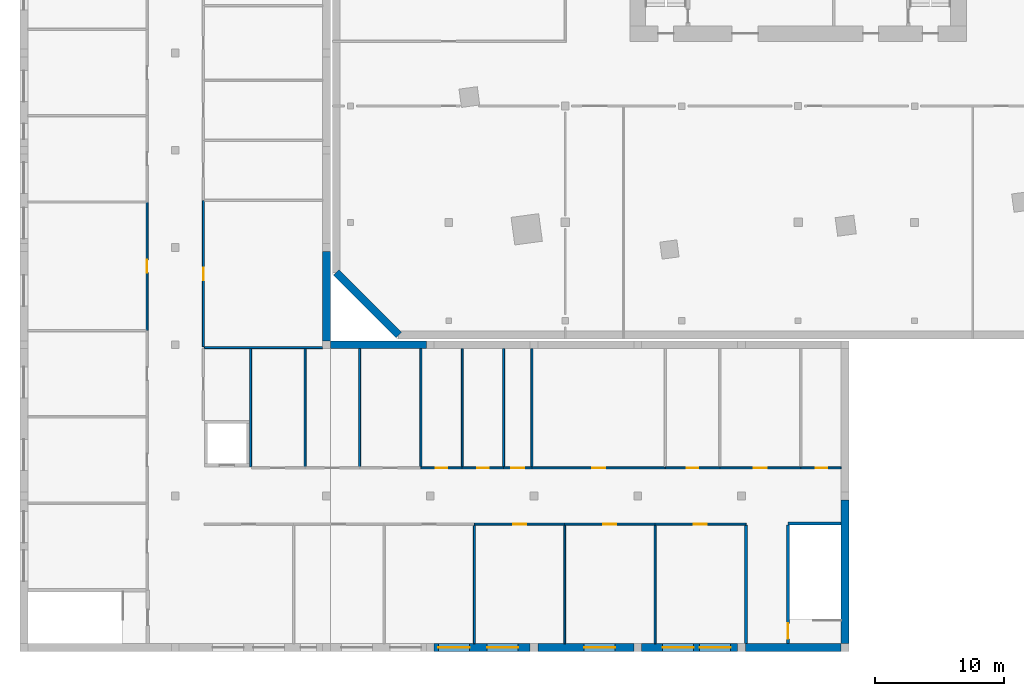
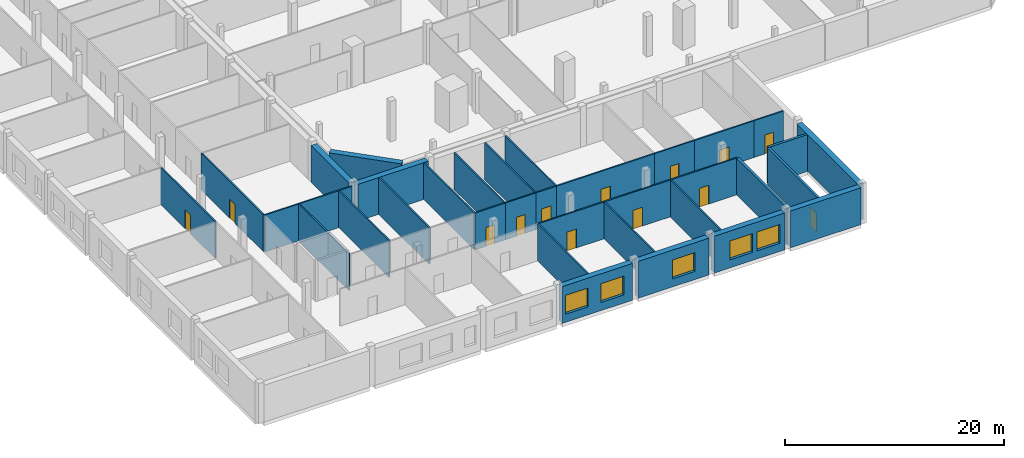
# One storey, part 4 of 18: 34 walls, 13 doors, 5 windows, 18 openings.
"""IFC4 building model written with IfcOpenShell, lengths in metres."""

from ifc_helpers import new_model, si_unit, direction, frame, frame_2d, origin, place, context, subcontext, project, spatial, rectangle, extrude, material, layer, layer_set, type_object, element, fill, save


model = new_model("IFC4")

# Units and contexts
model_context = context("Model", 3, precision=1e-05, world=origin(), true_north=direction((0.0, 1.0)))
body_context = subcontext(model_context, "Body", "Model", "MODEL_VIEW")
ifc_project = project(units=[si_unit("LENGTHUNIT", "METRE"), si_unit("AREAUNIT", "SQUARE_METRE"), si_unit("VOLUMEUNIT", "CUBIC_METRE"), si_unit("PLANEANGLEUNIT", "RADIAN"), si_unit("MASSUNIT", "GRAM", prefix="KILO")], contexts=[model_context])

# Site, building, storey
site_placement = place(None, origin())
site = spatial("IfcSite", under=ifc_project, at=site_placement, CompositionType="ELEMENT")
building_placement = place(site_placement, origin())
building = spatial("IfcBuilding", under=site, at=building_placement, Name="Dilmun Exchange Tower", CompositionType="ELEMENT")
storey_placement = place(building_placement, frame((0.0, 0.0, 13.5)))
storey = spatial("IfcBuildingStorey", under=building, at=storey_placement, Name="L03", CompositionType="ELEMENT", Elevation=13.5)

# Walls
ifc_material_1 = material(Name="Precast concrete C50/60", Category="concrete")
ifc_layer_1 = layer(ifc_material_1, 0.60009765625)
ifc_layer_set_1 = layer_set([ifc_layer_1], Name="Precast concrete C50/60")
wall_type_1 = type_object("IfcWallType", Name="Precast stone-clad wall 600", PredefinedType="STANDARD", material=ifc_layer_set_1)
wall_1_placement = place(storey_placement, frame((-35.699951171875, -30.875732421875, 0.0), z_axis=(0.0, 0.0, 1.0), x_axis=(0.707106781187, -0.707106781187, 0.0)))
element("IfcWall", 1, at=wall_1_placement, inside=storey, type_object=wall_type_1, Name="Facade wall L03-07-0", PredefinedType="STANDARD", context=body_context, shape_type="SweptSolid", body=[
    extrude(rectangle(XDim=6.822509765625, YDim=0.60009765625, at=frame_2d((3.4111328125, 0.0))), origin(), (0.0, 0.0, 1.0), 4.10009765625),
])
ifc_material_2 = material(Name="Precast concrete C40/50", Category="concrete")
ifc_layer_2 = layer(ifc_material_2, 0.60009765625)
ifc_layer_set_2 = layer_set([ifc_layer_2], Name="Precast concrete C40/50")
wall_type_2 = type_object("IfcWallType", Name="School external wall 600 precast C40/50", PredefinedType="STANDARD", material=ifc_layer_set_2)
wall_2_placement = place(storey_placement, frame((-36.449951171875, -29.235595703125, 0.0), z_axis=(0.0, 0.0, 1.0), x_axis=(0.0, -1.0, 0.0)))
element("IfcWall", 2, at=wall_2_placement, inside=storey, type_object=wall_type_2, Name="School external wall", PredefinedType="STANDARD", context=body_context, shape_type="SweptSolid", body=[
    extrude(rectangle(XDim=6.914306640625, YDim=0.60009765625, at=frame_2d((3.45703125, 0.0))), origin(), (0.0, 0.0, 1.0), 4.10009765625),
])
wall_3_placement = place(storey_placement, frame((-36.14990234375, -36.449951171875, 0.0), z_axis=(0.0, 0.0, 1.0), x_axis=(1.0, 0.0, 0.0)))
element("IfcWall", 3, at=wall_3_placement, inside=storey, type_object=wall_type_2, Name="School external wall", PredefinedType="STANDARD", context=body_context, shape_type="SweptSolid", body=[
    extrude(rectangle(XDim=7.41650390625, YDim=0.60009765625, at=frame_2d((3.708251953125, 0.0))), origin(), (0.0, 0.0, 1.0), 4.10009765625),
])
wall_4_placement = place(storey_placement, frame((3.63330078125, -48.449951171875, 0.0), z_axis=(0.0, 0.0, 1.0), x_axis=(0.0, -1.0, 0.0)))
element("IfcWall", 4, at=wall_4_placement, inside=storey, type_object=wall_type_2, Name="School external wall", PredefinedType="STANDARD", context=body_context, shape_type="SweptSolid", body=[
    extrude(rectangle(XDim=11.10009765625, YDim=0.60009765625, at=frame_2d((5.550048828125, 0.0))), origin(), (0.0, 0.0, 1.0), 4.10009765625),
])
wall_5_placement = place(storey_placement, frame((3.333251953125, -59.85009765625, 0.0), z_axis=(0.0, 0.0, 1.0), x_axis=(-1.0, 0.0, 0.0)))
element("IfcWall", 5, at=wall_5_placement, inside=storey, type_object=wall_type_2, Name="School external wall", PredefinedType="STANDARD", context=body_context, shape_type="SweptSolid", body=[
    extrude(rectangle(XDim=7.41650390625, YDim=0.60009765625, at=frame_2d((3.708251953125, 0.0))), origin(), (0.0, 0.0, 1.0), 4.10009765625),
])

# Wall, openings, windows
wall_6_placement = place(storey_placement, frame((-4.683349609375, -59.85009765625, 0.0), z_axis=(0.0, 0.0, 1.0), x_axis=(-1.0, 0.0, 0.0)))
wall_6 = element("IfcWall", 6, at=wall_6_placement, inside=storey, type_object=wall_type_2, Name="School external wall", PredefinedType="STANDARD", context=body_context, shape_type="SweptSolid", body=[
    extrude(rectangle(XDim=7.416748046875, YDim=0.60009765625, at=frame_2d((3.70849609375, 0.0))), origin(), (0.0, 0.0, 1.0), 4.10009765625),
])
opening_1_placement = place(wall_6_placement, frame((0.531982421875, 0.0, 0.89990234375)))
opening_1 = element("IfcOpeningElement", 7, at=opening_1_placement, cuts=wall_6, Name="Opening SCH-W24", PredefinedType="OPENING", context=body_context, shape_type="SweptSolid", body=[
    extrude(rectangle(XDim=2.39990234375, YDim=2.10009765625, at=frame_2d((1.199951171875, 1.050048828125))), frame((0.0, 0.31005859375, 0.0), z_axis=(0.0, -1.0, 0.0), x_axis=(1.0, 0.0, 0.0)), (0.0, 0.0, 1.0), 0.6201171875),
])
opening_2_placement = place(wall_6_placement, frame((3.3955078125, 0.0, 0.89990234375)))
opening_2 = element("IfcOpeningElement", 8, at=opening_2_placement, cuts=wall_6, Name="Opening SCH-W24", PredefinedType="OPENING", context=body_context, shape_type="SweptSolid", body=[
    extrude(rectangle(XDim=2.39990234375, YDim=2.10009765625, at=frame_2d((1.199951171875, 1.050048828125))), frame((0.0, 0.31005859375, 0.0), z_axis=(0.0, -1.0, 0.0), x_axis=(1.0, 0.0, 0.0)), (0.0, 0.0, 1.0), 0.6201171875),
])
ifc_material_3 = material(Name="Clear low-emissivity glass in aluminium frame", Category="aluminium")
window_type = type_object("IfcWindowType", Name="School window 2400 x 2100", PartitioningType="DOUBLE_PANEL_VERTICAL", PredefinedType="WINDOW", material=ifc_material_3)
window_1_placement = place(opening_1_placement, origin())
window_1 = element("IfcWindow", 9, at=window_1_placement, inside=storey, type_object=window_type, Name="School window", OverallHeight=2.10009765625, OverallWidth=2.39990234375, PartitioningType="SINGLE_PANEL", PredefinedType="WINDOW", context=body_context, shape_type="SweptSolid", body=[
    extrude(rectangle(XDim=2.39990234375, YDim=2.10009765625, at=frame_2d((1.199951171875, 1.050048828125))), frame((0.0, 0.030029296875, 0.0), z_axis=(0.0, -1.0, 0.0), x_axis=(1.0, 0.0, 0.0)), (0.0, 0.0, 1.0), 0.06005859375),
])
fill(opening_1, window_1)
window_2_placement = place(opening_2_placement, origin())
window_2 = element("IfcWindow", 10, at=window_2_placement, inside=storey, type_object=window_type, Name="School window", OverallHeight=2.10009765625, OverallWidth=2.39990234375, PartitioningType="SINGLE_PANEL", PredefinedType="WINDOW", context=body_context, shape_type="SweptSolid", body=[
    extrude(rectangle(XDim=2.39990234375, YDim=2.10009765625, at=frame_2d((1.199951171875, 1.050048828125))), frame((0.0, 0.030029296875, 0.0), z_axis=(0.0, -1.0, 0.0), x_axis=(1.0, 0.0, 0.0)), (0.0, 0.0, 1.0), 0.06005859375),
])
fill(opening_2, window_2)

# Wall, opening, window
wall_7_placement = place(storey_placement, frame((-12.699951171875, -59.85009765625, 0.0), z_axis=(0.0, 0.0, 1.0), x_axis=(-1.0, 0.0, 0.0)))
wall_7 = element("IfcWall", 11, at=wall_7_placement, inside=storey, type_object=wall_type_2, Name="School external wall", PredefinedType="STANDARD", context=body_context, shape_type="SweptSolid", body=[
    extrude(rectangle(XDim=7.416748046875, YDim=0.60009765625, at=frame_2d((3.70849609375, 0.0))), origin(), (0.0, 0.0, 1.0), 4.10009765625),
])
opening_3_placement = place(wall_7_placement, frame((1.447509765625, 0.0, 0.89990234375)))
opening_3 = element("IfcOpeningElement", 12, at=opening_3_placement, cuts=wall_7, Name="Opening SCH-W24", PredefinedType="OPENING", context=body_context, shape_type="SweptSolid", body=[
    extrude(rectangle(XDim=2.39990234375, YDim=2.10009765625, at=frame_2d((1.199951171875, 1.050048828125))), frame((0.0, 0.31005859375, 0.0), z_axis=(0.0, -1.0, 0.0), x_axis=(1.0, 0.0, 0.0)), (0.0, 0.0, 1.0), 0.6201171875),
])
window_3_placement = place(opening_3_placement, origin())
window_3 = element("IfcWindow", 13, at=window_3_placement, inside=storey, type_object=window_type, Name="School window", OverallHeight=2.10009765625, OverallWidth=2.39990234375, PartitioningType="SINGLE_PANEL", PredefinedType="WINDOW", context=body_context, shape_type="SweptSolid", body=[
    extrude(rectangle(XDim=2.39990234375, YDim=2.10009765625, at=frame_2d((1.199951171875, 1.050048828125))), frame((0.0, 0.030029296875, 0.0), z_axis=(0.0, -1.0, 0.0), x_axis=(1.0, 0.0, 0.0)), (0.0, 0.0, 1.0), 0.06005859375),
])
fill(opening_3, window_3)

# Wall, openings, windows
wall_8_placement = place(storey_placement, frame((-20.716796875, -59.85009765625, 0.0), z_axis=(0.0, 0.0, 1.0), x_axis=(-1.0, 0.0, 0.0)))
wall_8 = element("IfcWall", 14, at=wall_8_placement, inside=storey, type_object=wall_type_2, Name="School external wall", PredefinedType="STANDARD", context=body_context, shape_type="SweptSolid", body=[
    extrude(rectangle(XDim=7.41650390625, YDim=0.60009765625, at=frame_2d((3.708251953125, 0.0))), origin(), (0.0, 0.0, 1.0), 4.10009765625),
])
opening_4_placement = place(wall_8_placement, frame((4.68408203125, 0.0, 0.89990234375)))
opening_4 = element("IfcOpeningElement", 15, at=opening_4_placement, cuts=wall_8, Name="Opening SCH-W24", PredefinedType="OPENING", context=body_context, shape_type="SweptSolid", body=[
    extrude(rectangle(XDim=2.39990234375, YDim=2.10009765625, at=frame_2d((1.199951171875, 1.050048828125))), frame((0.0, 0.31005859375, 0.0), z_axis=(0.0, -1.0, 0.0), x_axis=(1.0, 0.0, 0.0)), (0.0, 0.0, 1.0), 0.6201171875),
])
opening_5_placement = place(wall_8_placement, frame((0.930908203125, 0.0, 0.89990234375)))
opening_5 = element("IfcOpeningElement", 16, at=opening_5_placement, cuts=wall_8, Name="Opening SCH-W24", PredefinedType="OPENING", context=body_context, shape_type="SweptSolid", body=[
    extrude(rectangle(XDim=2.39990234375, YDim=2.10009765625, at=frame_2d((1.199951171875, 1.050048828125))), frame((0.0, 0.31005859375, 0.0), z_axis=(0.0, -1.0, 0.0), x_axis=(1.0, 0.0, 0.0)), (0.0, 0.0, 1.0), 0.6201171875),
])
window_4_placement = place(opening_4_placement, origin())
window_4 = element("IfcWindow", 17, at=window_4_placement, inside=storey, type_object=window_type, Name="School window", OverallHeight=2.10009765625, OverallWidth=2.39990234375, PartitioningType="SINGLE_PANEL", PredefinedType="WINDOW", context=body_context, shape_type="SweptSolid", body=[
    extrude(rectangle(XDim=2.39990234375, YDim=2.10009765625, at=frame_2d((1.199951171875, 1.050048828125))), frame((0.0, 0.030029296875, 0.0), z_axis=(0.0, -1.0, 0.0), x_axis=(1.0, 0.0, 0.0)), (0.0, 0.0, 1.0), 0.06005859375),
])
fill(opening_4, window_4)
window_5_placement = place(opening_5_placement, origin())
window_5 = element("IfcWindow", 18, at=window_5_placement, inside=storey, type_object=window_type, Name="School window", OverallHeight=2.10009765625, OverallWidth=2.39990234375, PartitioningType="SINGLE_PANEL", PredefinedType="WINDOW", context=body_context, shape_type="SweptSolid", body=[
    extrude(rectangle(XDim=2.39990234375, YDim=2.10009765625, at=frame_2d((1.199951171875, 1.050048828125))), frame((0.0, 0.030029296875, 0.0), z_axis=(0.0, -1.0, 0.0), x_axis=(1.0, 0.0, 0.0)), (0.0, 0.0, 1.0), 0.06005859375),
])
fill(opening_5, window_5)

# Wall, opening, door
ifc_material_4 = material(Name="Gypsum board on steel studs", Category="steel")
ifc_layer_3 = layer(ifc_material_4, 0.14990234375)
ifc_layer_set_3 = layer_set([ifc_layer_3], Name="Gypsum board on steel studs")
wall_type_3 = type_object("IfcWallType", Name="School partition 150 gypsum board", PredefinedType="PARTITIONING", material=ifc_layer_set_3)
wall_9_placement = place(storey_placement, frame((-50.324951171875, -35.355712890625, 0.0), z_axis=(0.0, 0.0, 1.0), x_axis=(0.0, 1.0, 0.0)))
wall_9 = element("IfcWall", 19, at=wall_9_placement, inside=storey, type_object=wall_type_3, Name="School corridor wall", PredefinedType="PARTITIONING", context=body_context, shape_type="SweptSolid", body=[
    extrude(rectangle(XDim=9.9345703125, YDim=0.14990234375, at=frame_2d((4.96728515625, 0.0))), origin(), (0.0, 0.0, 1.0), 4.10009765625),
])
opening_6_placement = place(wall_9_placement, frame((4.46728515625, 0.0, 0.0)))
opening_6 = element("IfcOpeningElement", 20, at=opening_6_placement, cuts=wall_9, Name="Opening SCH-D1", PredefinedType="OPENING", context=body_context, shape_type="SweptSolid", body=[
    extrude(rectangle(XDim=1.0, YDim=2.10009765625, at=frame_2d((0.5, 1.050048828125))), frame((0.0, 0.0849609375, 0.0), z_axis=(0.0, -1.0, 0.0), x_axis=(1.0, 0.0, 0.0)), (0.0, 0.0, 1.0), 0.169921875),
])
ifc_material_5 = material(Name="Timber door leaf in steel frame", Category="steel")
door_type_1 = type_object("IfcDoorType", Name="School door FD30S 1000 x 2100", OperationType="NOTDEFINED", PredefinedType="DOOR", material=ifc_material_5)
door_1_placement = place(opening_6_placement, origin())
door_1 = element("IfcDoor", 21, at=door_1_placement, inside=storey, type_object=door_type_1, Name="Biology laboratory door", OperationType="SINGLE_SWING_LEFT", OverallHeight=2.10009765625, OverallWidth=1.0, PredefinedType="DOOR", context=body_context, shape_type="SweptSolid", body=[
    extrude(rectangle(XDim=1.0, YDim=2.10009765625, at=frame_2d((0.5, 1.050048828125))), frame((0.0, 0.02490234375, 0.0), z_axis=(0.0, -1.0, 0.0), x_axis=(1.0, 0.0, 0.0)), (0.0, 0.0, 1.0), 0.050048828125),
])
fill(opening_6, door_1)

wall_10_placement = place(storey_placement, frame((-45.97509765625, -36.60009765625, 0.0), z_axis=(0.0, 0.0, 1.0), x_axis=(0.0, 1.0, 0.0)))
wall_10 = element("IfcWall", 22, at=wall_10_placement, inside=storey, type_object=wall_type_3, Name="School corridor wall", PredefinedType="PARTITIONING", context=body_context, shape_type="SweptSolid", body=[
    extrude(rectangle(XDim=11.30712890625, YDim=0.14990234375, at=frame_2d((5.653564453125, 0.0))), origin(), (0.0, 0.0, 1.0), 4.10009765625),
])
opening_7_placement = place(wall_10_placement, frame((5.115966796875, 0.0, 0.0)))
opening_7 = element("IfcOpeningElement", 23, at=opening_7_placement, cuts=wall_10, Name="Opening SCH-D1", PredefinedType="OPENING", context=body_context, shape_type="SweptSolid", body=[
    extrude(rectangle(XDim=1.0, YDim=2.10009765625, at=frame_2d((0.5, 1.050048828125))), frame((0.0, 0.0849609375, 0.0), z_axis=(0.0, -1.0, 0.0), x_axis=(1.0, 0.0, 0.0)), (0.0, 0.0, 1.0), 0.169921875),
])
door_2_placement = place(opening_7_placement, origin())
door_2 = element("IfcDoor", 24, at=door_2_placement, inside=storey, type_object=door_type_1, Name="Computer suite door", OperationType="SINGLE_SWING_LEFT", OverallHeight=2.10009765625, OverallWidth=1.0, PredefinedType="DOOR", context=body_context, shape_type="SweptSolid", body=[
    extrude(rectangle(XDim=1.0, YDim=2.10009765625, at=frame_2d((0.5, 1.050048828125))), frame((0.0, 0.02490234375, 0.0), z_axis=(0.0, -1.0, 0.0), x_axis=(1.0, 0.0, 0.0)), (0.0, 0.0, 1.0), 0.050048828125),
])
fill(opening_7, door_2)

# Walls
for number, where, z_axis, x_axis, name in (
    (25, (-25.0234375, -59.550048828125, 0.0), (0.0, 0.0, 1.0), (0.0, 1.0, 0.0), "School partition"),
    (26, (-18.039794921875, -59.550048828125, 0.0), (0.0, 0.0, 1.0), (0.0, 1.0, 0.0), "School partition"),
    (27, (-11.055908203125, -59.550048828125, 0.0), (0.0, 0.0, 1.0), (0.0, 1.0, 0.0), "School partition"),
):
    element("IfcWall", number, at=place(storey_placement, frame(where, z_axis=z_axis, x_axis=x_axis)), inside=storey, type_object=wall_type_3, Name=name, PredefinedType="PARTITIONING", context=body_context, shape_type="SweptSolid", body=[
        extrude(rectangle(XDim=9.150146484375, YDim=0.14990234375, at=frame_2d((4.5751953125, 0.0))), origin(), (0.0, 0.0, 1.0), 4.10009765625),
    ])

# Wall, opening, door
wall_11_placement = place(storey_placement, frame((-25.0234375, -50.324951171875, 0.0), z_axis=(0.0, 0.0, 1.0), x_axis=(1.0, 0.0, 0.0)))
wall_11 = element("IfcWall", 28, at=wall_11_placement, inside=storey, type_object=wall_type_3, Name="School corridor wall", PredefinedType="PARTITIONING", context=body_context, shape_type="SweptSolid", body=[
    extrude(rectangle(XDim=6.983642578125, YDim=0.14990234375, at=frame_2d((3.49169921875, 0.0))), origin(), (0.0, 0.0, 1.0), 4.10009765625),
])
opening_8_placement = place(wall_11_placement, frame((2.991943359375, 0.0, 0.0)))
opening_8 = element("IfcOpeningElement", 29, at=opening_8_placement, cuts=wall_11, Name="Opening SCH-D1", PredefinedType="OPENING", context=body_context, shape_type="SweptSolid", body=[
    extrude(rectangle(XDim=1.0, YDim=2.10009765625, at=frame_2d((0.5, 1.050048828125))), frame((0.0, 0.0849609375, 0.0), z_axis=(0.0, -1.0, 0.0), x_axis=(1.0, 0.0, 0.0)), (0.0, 0.0, 1.0), 0.169921875),
])
door_3_placement = place(opening_8_placement, origin())
door_3 = element("IfcDoor", 30, at=door_3_placement, inside=storey, type_object=door_type_1, Name="Mathematics classroom door", OperationType="SINGLE_SWING_LEFT", OverallHeight=2.10009765625, OverallWidth=1.0, PredefinedType="DOOR", context=body_context, shape_type="SweptSolid", body=[
    extrude(rectangle(XDim=1.0, YDim=2.10009765625, at=frame_2d((0.5, 1.050048828125))), frame((0.0, 0.02490234375, 0.0), z_axis=(0.0, -1.0, 0.0), x_axis=(1.0, 0.0, 0.0)), (0.0, 0.0, 1.0), 0.050048828125),
])
fill(opening_8, door_3)

wall_12_placement = place(storey_placement, frame((-18.039794921875, -50.324951171875, 0.0), z_axis=(0.0, 0.0, 1.0), x_axis=(1.0, 0.0, 0.0)))
wall_12 = element("IfcWall", 31, at=wall_12_placement, inside=storey, type_object=wall_type_3, Name="School corridor wall", PredefinedType="PARTITIONING", context=body_context, shape_type="SweptSolid", body=[
    extrude(rectangle(XDim=6.98388671875, YDim=0.14990234375, at=frame_2d((3.491943359375, 0.0))), origin(), (0.0, 0.0, 1.0), 4.10009765625),
])
opening_9_placement = place(wall_12_placement, frame((2.991943359375, 0.0, 0.0)))
opening_9 = element("IfcOpeningElement", 32, at=opening_9_placement, cuts=wall_12, Name="Opening SCH-D1", PredefinedType="OPENING", context=body_context, shape_type="SweptSolid", body=[
    extrude(rectangle(XDim=1.0, YDim=2.10009765625, at=frame_2d((0.5, 1.050048828125))), frame((0.0, 0.0849609375, 0.0), z_axis=(0.0, -1.0, 0.0), x_axis=(1.0, 0.0, 0.0)), (0.0, 0.0, 1.0), 0.169921875),
])
door_4_placement = place(opening_9_placement, origin())
door_4 = element("IfcDoor", 33, at=door_4_placement, inside=storey, type_object=door_type_1, Name="Classroom door", OperationType="SINGLE_SWING_RIGHT", OverallHeight=2.10009765625, OverallWidth=1.0, PredefinedType="DOOR", context=body_context, shape_type="SweptSolid", body=[
    extrude(rectangle(XDim=1.0, YDim=2.10009765625, at=frame_2d((0.5, 1.050048828125))), frame((0.0, 0.02490234375, 0.0), z_axis=(0.0, -1.0, 0.0), x_axis=(1.0, 0.0, 0.0)), (0.0, 0.0, 1.0), 0.050048828125),
])
fill(opening_9, door_4)

wall_13_placement = place(storey_placement, frame((-11.055908203125, -50.324951171875, 0.0), z_axis=(0.0, 0.0, 1.0), x_axis=(1.0, 0.0, 0.0)))
wall_13 = element("IfcWall", 34, at=wall_13_placement, inside=storey, type_object=wall_type_3, Name="School corridor wall", PredefinedType="PARTITIONING", context=body_context, shape_type="SweptSolid", body=[
    extrude(rectangle(XDim=7.033935546875, YDim=0.14990234375, at=frame_2d((3.51708984375, 0.0))), origin(), (0.0, 0.0, 1.0), 4.10009765625),
])
opening_10_placement = place(wall_13_placement, frame((2.991943359375, 0.0, 0.0)))
opening_10 = element("IfcOpeningElement", 35, at=opening_10_placement, cuts=wall_13, Name="Opening SCH-D1", PredefinedType="OPENING", context=body_context, shape_type="SweptSolid", body=[
    extrude(rectangle(XDim=1.0, YDim=2.10009765625, at=frame_2d((0.5, 1.050048828125))), frame((0.0, 0.0849609375, 0.0), z_axis=(0.0, -1.0, 0.0), x_axis=(1.0, 0.0, 0.0)), (0.0, 0.0, 1.0), 0.169921875),
])
door_5_placement = place(opening_10_placement, origin())
door_5 = element("IfcDoor", 36, at=door_5_placement, inside=storey, type_object=door_type_1, Name="Classroom door", OperationType="SINGLE_SWING_LEFT", OverallHeight=2.10009765625, OverallWidth=1.0, PredefinedType="DOOR", context=body_context, shape_type="SweptSolid", body=[
    extrude(rectangle(XDim=1.0, YDim=2.10009765625, at=frame_2d((0.5, 1.050048828125))), frame((0.0, 0.02490234375, 0.0), z_axis=(0.0, -1.0, 0.0), x_axis=(1.0, 0.0, 0.0)), (0.0, 0.0, 1.0), 0.050048828125),
])
fill(opening_10, door_5)

# Walls
for number, where, z_axis, x_axis, name in (
    (37, (-38.107666015625, -45.89990234375, 0.0), (0.0, 0.0, 1.0), (0.0, 1.0, 0.0), "School partition"),
    (38, (-33.89013671875, -45.89990234375, 0.0), (0.0, 0.0, 1.0), (0.0, 1.0, 0.0), "School partition"),
    (39, (-29.164306640625, -45.89990234375, 0.0), (0.0, 0.0, 1.0), (0.0, 1.0, 0.0), "School partition"),
    (40, (-25.9638671875, -45.89990234375, 0.0), (0.0, 0.0, 1.0), (0.0, 1.0, 0.0), "School partition"),
    (41, (-22.76318359375, -45.89990234375, 0.0), (0.0, 0.0, 1.0), (0.0, 1.0, 0.0), "School partition"),
    (42, (-20.57958984375, -45.89990234375, 0.0), (0.0, 0.0, 1.0), (0.0, 1.0, 0.0), "School partition"),
):
    element("IfcWall", number, at=place(storey_placement, frame(where, z_axis=z_axis, x_axis=x_axis)), inside=storey, type_object=wall_type_3, Name=name, PredefinedType="PARTITIONING", context=body_context, shape_type="SweptSolid", body=[
        extrude(rectangle(XDim=9.14990234375, YDim=0.14990234375, at=frame_2d((4.574951171875, 0.0))), origin(), (0.0, 0.0, 1.0), 4.10009765625),
    ])

# Wall, opening, door
wall_14_placement = place(storey_placement, frame((-29.164306640625, -45.97509765625, 0.0), z_axis=(0.0, 0.0, 1.0), x_axis=(1.0, 0.0, 0.0)))
wall_14 = element("IfcWall", 43, at=wall_14_placement, inside=storey, type_object=wall_type_3, Name="School corridor wall", PredefinedType="PARTITIONING", context=body_context, shape_type="SweptSolid", body=[
    extrude(rectangle(XDim=3.200439453125, YDim=0.14990234375, at=frame_2d((1.60009765625, 0.0))), origin(), (0.0, 0.0, 1.0), 4.10009765625),
])
opening_11_placement = place(wall_14_placement, frame((1.150390625, 0.0, 0.0)))
opening_11 = element("IfcOpeningElement", 44, at=opening_11_placement, cuts=wall_14, Name="Opening SCH-D2", PredefinedType="OPENING", context=body_context, shape_type="SweptSolid", body=[
    extrude(rectangle(XDim=0.89990234375, YDim=2.10009765625, at=frame_2d((0.449951171875, 1.050048828125))), frame((0.0, 0.0849609375, 0.0), z_axis=(0.0, -1.0, 0.0), x_axis=(1.0, 0.0, 0.0)), (0.0, 0.0, 1.0), 0.169921875),
])
door_type_2 = type_object("IfcDoorType", Name="School door FD30S 900 x 2100", OperationType="NOTDEFINED", PredefinedType="DOOR", material=ifc_material_5)
door_6_placement = place(opening_11_placement, origin())
door_6 = element("IfcDoor", 45, at=door_6_placement, inside=storey, type_object=door_type_2, Name="Boys WC door", OperationType="SINGLE_SWING_LEFT", OverallHeight=2.10009765625, OverallWidth=0.89990234375, PredefinedType="DOOR", context=body_context, shape_type="SweptSolid", body=[
    extrude(rectangle(XDim=0.89990234375, YDim=2.10009765625, at=frame_2d((0.449951171875, 1.050048828125))), frame((0.0, 0.02490234375, 0.0), z_axis=(0.0, -1.0, 0.0), x_axis=(1.0, 0.0, 0.0)), (0.0, 0.0, 1.0), 0.050048828125),
])
fill(opening_11, door_6)

wall_15_placement = place(storey_placement, frame((-25.9638671875, -45.97509765625, 0.0), z_axis=(0.0, 0.0, 1.0), x_axis=(1.0, 0.0, 0.0)))
wall_15 = element("IfcWall", 46, at=wall_15_placement, inside=storey, type_object=wall_type_3, Name="School corridor wall", PredefinedType="PARTITIONING", context=body_context, shape_type="SweptSolid", body=[
    extrude(rectangle(XDim=3.20068359375, YDim=0.14990234375, at=frame_2d((1.600341796875, 0.0))), origin(), (0.0, 0.0, 1.0), 4.10009765625),
])
opening_12_placement = place(wall_15_placement, frame((1.150146484375, 0.0, 0.0)))
opening_12 = element("IfcOpeningElement", 47, at=opening_12_placement, cuts=wall_15, Name="Opening SCH-D2", PredefinedType="OPENING", context=body_context, shape_type="SweptSolid", body=[
    extrude(rectangle(XDim=0.89990234375, YDim=2.10009765625, at=frame_2d((0.449951171875, 1.050048828125))), frame((0.0, 0.0849609375, 0.0), z_axis=(0.0, -1.0, 0.0), x_axis=(1.0, 0.0, 0.0)), (0.0, 0.0, 1.0), 0.169921875),
])
door_7_placement = place(opening_12_placement, origin())
door_7 = element("IfcDoor", 48, at=door_7_placement, inside=storey, type_object=door_type_2, Name="Girls WC door", OperationType="SINGLE_SWING_RIGHT", OverallHeight=2.10009765625, OverallWidth=0.89990234375, PredefinedType="DOOR", context=body_context, shape_type="SweptSolid", body=[
    extrude(rectangle(XDim=0.89990234375, YDim=2.10009765625, at=frame_2d((0.449951171875, 1.050048828125))), frame((0.0, 0.02490234375, 0.0), z_axis=(0.0, -1.0, 0.0), x_axis=(1.0, 0.0, 0.0)), (0.0, 0.0, 1.0), 0.050048828125),
])
fill(opening_12, door_7)

wall_16_placement = place(storey_placement, frame((-22.76318359375, -45.97509765625, 0.0), z_axis=(0.0, 0.0, 1.0), x_axis=(1.0, 0.0, 0.0)))
wall_16 = element("IfcWall", 49, at=wall_16_placement, inside=storey, type_object=wall_type_3, Name="School corridor wall", PredefinedType="PARTITIONING", context=body_context, shape_type="SweptSolid", body=[
    extrude(rectangle(XDim=2.18359375, YDim=0.14990234375, at=frame_2d((1.091796875, 0.0))), origin(), (0.0, 0.0, 1.0), 4.10009765625),
])
opening_13_placement = place(wall_16_placement, frame((0.591796875, 0.0, 0.0)))
opening_13 = element("IfcOpeningElement", 50, at=opening_13_placement, cuts=wall_16, Name="Opening SCH-D1", PredefinedType="OPENING", context=body_context, shape_type="SweptSolid", body=[
    extrude(rectangle(XDim=1.0, YDim=2.10009765625, at=frame_2d((0.5, 1.050048828125))), frame((0.0, 0.0849609375, 0.0), z_axis=(0.0, -1.0, 0.0), x_axis=(1.0, 0.0, 0.0)), (0.0, 0.0, 1.0), 0.169921875),
])
door_8_placement = place(opening_13_placement, origin())
door_8 = element("IfcDoor", 51, at=door_8_placement, inside=storey, type_object=door_type_1, Name="Accessible WC door", OperationType="SINGLE_SWING_LEFT", OverallHeight=2.10009765625, OverallWidth=1.0, PredefinedType="DOOR", context=body_context, shape_type="SweptSolid", body=[
    extrude(rectangle(XDim=1.0, YDim=2.10009765625, at=frame_2d((0.5, 1.050048828125))), frame((0.0, 0.02490234375, 0.0), z_axis=(0.0, -1.0, 0.0), x_axis=(1.0, 0.0, 0.0)), (0.0, 0.0, 1.0), 0.050048828125),
])
fill(opening_13, door_8)

wall_17_placement = place(storey_placement, frame((-20.57958984375, -45.97509765625, 0.0), z_axis=(0.0, 0.0, 1.0), x_axis=(1.0, 0.0, 0.0)))
wall_17 = element("IfcWall", 52, at=wall_17_placement, inside=storey, type_object=wall_type_3, Name="School corridor wall", PredefinedType="PARTITIONING", context=body_context, shape_type="SweptSolid", body=[
    extrude(rectangle(XDim=10.318603515625, YDim=0.14990234375, at=frame_2d((5.1591796875, 0.0))), origin(), (0.0, 0.0, 1.0), 4.10009765625),
])
opening_14_placement = place(wall_17_placement, frame((4.6591796875, 0.0, 0.0)))
opening_14 = element("IfcOpeningElement", 53, at=opening_14_placement, cuts=wall_17, Name="Opening SCH-D1", PredefinedType="OPENING", context=body_context, shape_type="SweptSolid", body=[
    extrude(rectangle(XDim=1.0, YDim=2.10009765625, at=frame_2d((0.5, 1.050048828125))), frame((0.0, 0.0849609375, 0.0), z_axis=(0.0, -1.0, 0.0), x_axis=(1.0, 0.0, 0.0)), (0.0, 0.0, 1.0), 0.169921875),
])
door_9_placement = place(opening_14_placement, origin())
door_9 = element("IfcDoor", 54, at=door_9_placement, inside=storey, type_object=door_type_1, Name="Computer suite door", OperationType="SINGLE_SWING_RIGHT", OverallHeight=2.10009765625, OverallWidth=1.0, PredefinedType="DOOR", context=body_context, shape_type="SweptSolid", body=[
    extrude(rectangle(XDim=1.0, YDim=2.10009765625, at=frame_2d((0.5, 1.050048828125))), frame((0.0, 0.02490234375, 0.0), z_axis=(0.0, -1.0, 0.0), x_axis=(1.0, 0.0, 0.0)), (0.0, 0.0, 1.0), 0.050048828125),
])
fill(opening_14, door_9)

wall_18_placement = place(storey_placement, frame((-10.260986328125, -45.97509765625, 0.0), z_axis=(0.0, 0.0, 1.0), x_axis=(1.0, 0.0, 0.0)))
wall_18 = element("IfcWall", 55, at=wall_18_placement, inside=storey, type_object=wall_type_3, Name="School corridor wall", PredefinedType="PARTITIONING", context=body_context, shape_type="SweptSolid", body=[
    extrude(rectangle(XDim=4.21728515625, YDim=0.14990234375, at=frame_2d((2.108642578125, 0.0))), origin(), (0.0, 0.0, 1.0), 4.10009765625),
])
opening_15_placement = place(wall_18_placement, frame((1.65869140625, 0.0, 0.0)))
opening_15 = element("IfcOpeningElement", 56, at=opening_15_placement, cuts=wall_18, Name="Opening SCH-D2", PredefinedType="OPENING", context=body_context, shape_type="SweptSolid", body=[
    extrude(rectangle(XDim=0.89990234375, YDim=2.10009765625, at=frame_2d((0.449951171875, 1.050048828125))), frame((0.0, 0.0849609375, 0.0), z_axis=(0.0, -1.0, 0.0), x_axis=(1.0, 0.0, 0.0)), (0.0, 0.0, 1.0), 0.169921875),
])
door_10_placement = place(opening_15_placement, origin())
door_10 = element("IfcDoor", 57, at=door_10_placement, inside=storey, type_object=door_type_2, Name="Plant room door", OperationType="SINGLE_SWING_LEFT", OverallHeight=2.10009765625, OverallWidth=0.89990234375, PredefinedType="DOOR", context=body_context, shape_type="SweptSolid", body=[
    extrude(rectangle(XDim=0.89990234375, YDim=2.10009765625, at=frame_2d((0.449951171875, 1.050048828125))), frame((0.0, 0.02490234375, 0.0), z_axis=(0.0, -1.0, 0.0), x_axis=(1.0, 0.0, 0.0)), (0.0, 0.0, 1.0), 0.050048828125),
])
fill(opening_15, door_10)

wall_19_placement = place(storey_placement, frame((-6.043701171875, -45.97509765625, 0.0), z_axis=(0.0, 0.0, 1.0), x_axis=(1.0, 0.0, 0.0)))
wall_19 = element("IfcWall", 58, at=wall_19_placement, inside=storey, type_object=wall_type_3, Name="School corridor wall", PredefinedType="PARTITIONING", context=body_context, shape_type="SweptSolid", body=[
    extrude(rectangle(XDim=6.251220703125, YDim=0.14990234375, at=frame_2d((3.12548828125, 0.0))), origin(), (0.0, 0.0, 1.0), 4.10009765625),
])
opening_16_placement = place(wall_19_placement, frame((2.62548828125, 0.0, 0.0)))
opening_16 = element("IfcOpeningElement", 59, at=opening_16_placement, cuts=wall_19, Name="Opening SCH-D1", PredefinedType="OPENING", context=body_context, shape_type="SweptSolid", body=[
    extrude(rectangle(XDim=1.0, YDim=2.10009765625, at=frame_2d((0.5, 1.050048828125))), frame((0.0, 0.0849609375, 0.0), z_axis=(0.0, -1.0, 0.0), x_axis=(1.0, 0.0, 0.0)), (0.0, 0.0, 1.0), 0.169921875),
])
door_11_placement = place(opening_16_placement, origin())
door_11 = element("IfcDoor", 60, at=door_11_placement, inside=storey, type_object=door_type_1, Name="Staff workroom door", OperationType="SINGLE_SWING_RIGHT", OverallHeight=2.10009765625, OverallWidth=1.0, PredefinedType="DOOR", context=body_context, shape_type="SweptSolid", body=[
    extrude(rectangle(XDim=1.0, YDim=2.10009765625, at=frame_2d((0.5, 1.050048828125))), frame((0.0, 0.02490234375, 0.0), z_axis=(0.0, -1.0, 0.0), x_axis=(1.0, 0.0, 0.0)), (0.0, 0.0, 1.0), 0.050048828125),
])
fill(opening_16, door_11)

wall_20_placement = place(storey_placement, frame((0.20751953125, -45.97509765625, 0.0), z_axis=(0.0, 0.0, 1.0), x_axis=(1.0, 0.0, 0.0)))
wall_20 = element("IfcWall", 61, at=wall_20_placement, inside=storey, type_object=wall_type_3, Name="School corridor wall", PredefinedType="PARTITIONING", context=body_context, shape_type="SweptSolid", body=[
    extrude(rectangle(XDim=3.12548828125, YDim=0.14990234375, at=frame_2d((1.562744140625, 0.0))), origin(), (0.0, 0.0, 1.0), 4.10009765625),
])
opening_17_placement = place(wall_20_placement, frame((1.150390625, 0.0, 0.0)))
opening_17 = element("IfcOpeningElement", 62, at=opening_17_placement, cuts=wall_20, Name="Opening SCH-D2", PredefinedType="OPENING", context=body_context, shape_type="SweptSolid", body=[
    extrude(rectangle(XDim=0.89990234375, YDim=2.10009765625, at=frame_2d((0.449951171875, 1.050048828125))), frame((0.0, 0.0849609375, 0.0), z_axis=(0.0, -1.0, 0.0), x_axis=(1.0, 0.0, 0.0)), (0.0, 0.0, 1.0), 0.169921875),
])
door_12_placement = place(opening_17_placement, origin())
door_12 = element("IfcDoor", 63, at=door_12_placement, inside=storey, type_object=door_type_2, Name="Stationery store door", OperationType="SINGLE_SWING_LEFT", OverallHeight=2.10009765625, OverallWidth=0.89990234375, PredefinedType="DOOR", context=body_context, shape_type="SweptSolid", body=[
    extrude(rectangle(XDim=0.89990234375, YDim=2.10009765625, at=frame_2d((0.449951171875, 1.050048828125))), frame((0.0, 0.02490234375, 0.0), z_axis=(0.0, -1.0, 0.0), x_axis=(1.0, 0.0, 0.0)), (0.0, 0.0, 1.0), 0.050048828125),
])
fill(opening_17, door_12)

# Walls
for number, where, z_axis, x_axis, name in (
    (64, (-45.89990234375, -36.675048828125, 0.0), (0.0, 0.0, 1.0), (1.0, 0.0, 0.0), "School partition"),
    (65, (-42.324951171875, -45.89990234375, 0.0), (0.0, 0.0, 1.0), (0.0, 1.0, 0.0), "School partition"),
):
    element("IfcWall", number, at=place(storey_placement, frame(where, z_axis=z_axis, x_axis=x_axis)), inside=storey, type_object=wall_type_3, Name=name, PredefinedType="PARTITIONING", context=body_context, shape_type="SweptSolid", body=[
        extrude(rectangle(XDim=9.14990234375, YDim=0.14990234375, at=frame_2d((4.574951171875, 0.0))), origin(), (0.0, 0.0, 1.0), 4.10009765625),
    ])
ifc_material_6 = material(Name="Concrete C40/50", Category="concrete")
ifc_layer_4 = layer(ifc_material_6, 0.25)
ifc_layer_set_4 = layer_set([ifc_layer_4], Name="Concrete C40/50")
wall_type_4 = type_object("IfcWallType", Name="School stair and lift wall 250 C40/50", PredefinedType="SHEAR", material=ifc_layer_set_4)
wall_21_placement = place(storey_placement, frame((-4.02197265625, -59.550048828125, 0.0), z_axis=(0.0, 0.0, 1.0), x_axis=(0.0, 1.0, 0.0)))
element("IfcWall", 66, at=wall_21_placement, inside=storey, type_object=wall_type_4, Name="School stair or lift wall", PredefinedType="SHEAR", context=body_context, shape_type="SweptSolid", body=[
    extrude(rectangle(XDim=9.150146484375, YDim=0.25, at=frame_2d((4.5751953125, 0.0))), origin(), (0.0, 0.0, 1.0), 4.10009765625),
])

# Wall, opening, door
wall_22_placement = place(storey_placement, frame((-0.77197265625, -59.550048828125, 0.0), z_axis=(0.0, 0.0, 1.0), x_axis=(0.0, 1.0, 0.0)))
wall_22 = element("IfcWall", 67, at=wall_22_placement, inside=storey, type_object=wall_type_4, Name="School stair or lift wall", PredefinedType="SHEAR", context=body_context, shape_type="SweptSolid", body=[
    extrude(rectangle(XDim=9.150146484375, YDim=0.25, at=frame_2d((4.5751953125, 0.0))), origin(), (0.0, 0.0, 1.0), 4.10009765625),
])
opening_18_placement = place(wall_22_placement, frame((0.35009765625, 0.0, 0.0)))
opening_18 = element("IfcOpeningElement", 68, at=opening_18_placement, cuts=wall_22, Name="Opening SCH-D3", PredefinedType="OPENING", context=body_context, shape_type="SweptSolid", body=[
    extrude(rectangle(XDim=1.199951171875, YDim=2.10009765625, at=frame_2d((0.60009765625, 1.050048828125))), frame((0.0, 0.135009765625, 0.0), z_axis=(0.0, -1.0, 0.0), x_axis=(1.0, 0.0, 0.0)), (0.0, 0.0, 1.0), 0.27001953125),
])
door_type_3 = type_object("IfcDoorType", Name="School stair door FD60 1200 x 2100", OperationType="NOTDEFINED", PredefinedType="DOOR", material=ifc_material_5)
door_13_placement = place(opening_18_placement, origin())
door_13 = element("IfcDoor", 69, at=door_13_placement, inside=storey, type_object=door_type_3, Name="Stair S3 door", OperationType="SINGLE_SWING_RIGHT", OverallHeight=2.10009765625, OverallWidth=1.199951171875, PredefinedType="DOOR", context=body_context, shape_type="SweptSolid", body=[
    extrude(rectangle(XDim=1.199951171875, YDim=2.10009765625, at=frame_2d((0.60009765625, 1.050048828125))), frame((0.0, 0.02490234375, 0.0), z_axis=(0.0, -1.0, 0.0), x_axis=(1.0, 0.0, 0.0)), (0.0, 0.0, 1.0), 0.050048828125),
])
fill(opening_18, door_13)

# Wall
wall_23_placement = place(storey_placement, frame((-0.77197265625, -50.27490234375, 0.0), z_axis=(0.0, 0.0, 1.0), x_axis=(1.0, 0.0, 0.0)))
element("IfcWall", 70, at=wall_23_placement, inside=storey, type_object=wall_type_4, Name="School corridor wall", PredefinedType="SHEAR", context=body_context, shape_type="SweptSolid", body=[
    extrude(rectangle(XDim=4.10498046875, YDim=0.25, at=frame_2d((2.052490234375, 0.0))), origin(), (0.0, 0.0, 1.0), 4.10009765625),
])

save(model, "model.ifc")
